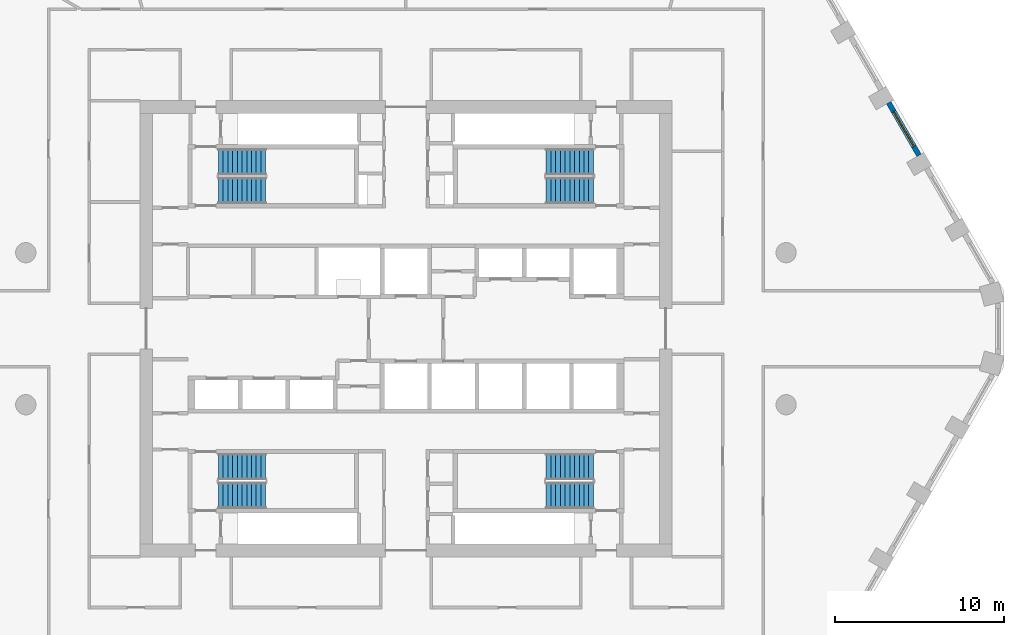
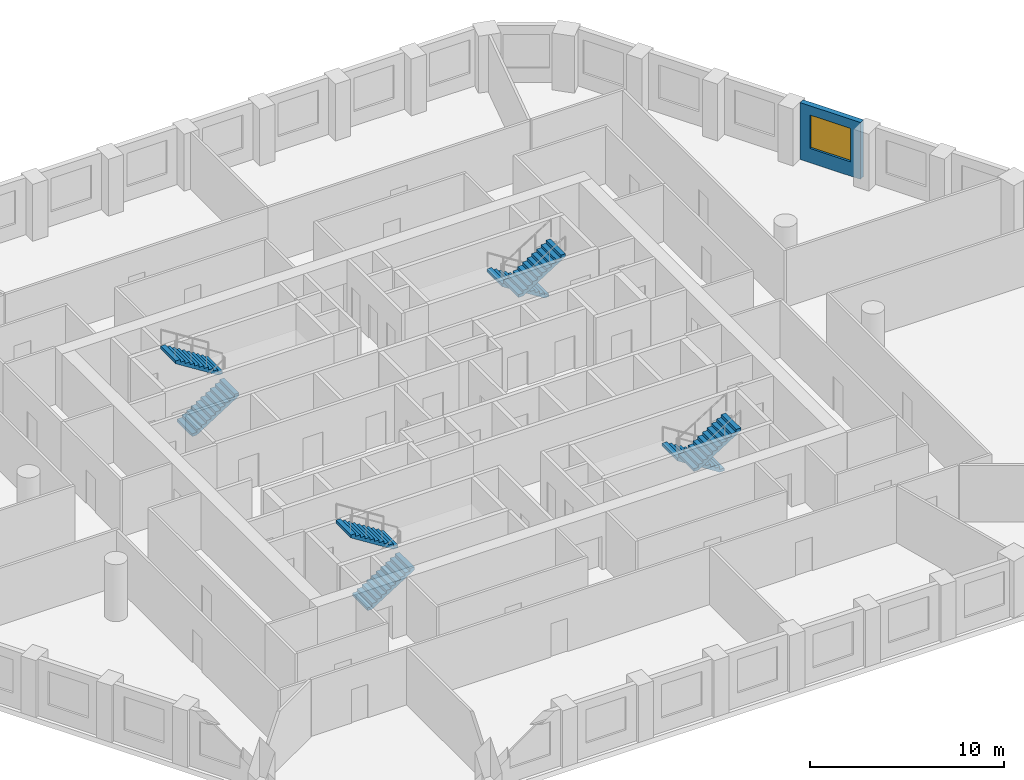
# One storey, part 9 of 10: 8 stair flights, 1 wall, 1 window, 1 opening, 4 elements without a shape of their own.
"""IFC4 building model written with IfcOpenShell, lengths in metres."""

from ifc_helpers import new_model, si_unit, direction, frame, frame_2d, origin, place, context, subcontext, project, spatial, polyline, rectangle, outline, extrude, material, layer, layer_set, type_object, element, fill, aggregate, save


model = new_model("IFC4")

# Units and contexts
model_context = context("Model", 3, precision=1e-05, world=origin(), true_north=direction((0.0, 1.0)))
body_context = subcontext(model_context, "Body", "Model", "MODEL_VIEW")
ifc_project = project(units=[si_unit("LENGTHUNIT", "METRE"), si_unit("AREAUNIT", "SQUARE_METRE"), si_unit("VOLUMEUNIT", "CUBIC_METRE"), si_unit("PLANEANGLEUNIT", "RADIAN"), si_unit("MASSUNIT", "GRAM", prefix="KILO")], contexts=[model_context])

# Site, building, storey
site_placement = place(None, origin())
site = spatial("IfcSite", under=ifc_project, at=site_placement, CompositionType="ELEMENT")
building_placement = place(site_placement, origin())
building = spatial("IfcBuilding", under=site, at=building_placement, Name="Dhurran Vertical Campus", CompositionType="ELEMENT")
storey_placement = place(building_placement, frame((0.0, 0.0, 148.199951171875)))
storey = spatial("IfcBuildingStorey", under=building, at=storey_placement, Name="L36", CompositionType="ELEMENT", Elevation=148.199951171875)

# Wall, opening, window
ifc_material_1 = material(Name="Precast concrete C50/60", Category="concrete")
ifc_layer = layer(ifc_material_1, 0.300048828125)
ifc_layer_set = layer_set([ifc_layer], Name="Precast concrete C50/60")
wall_type = type_object("IfcWallType", Name="Precast spandrel wall 300", PredefinedType="SOLIDWALL", material=ifc_layer_set)
wall_placement = place(storey_placement, frame((30.368896484375, 10.259521484375, 0.0), z_axis=(0.0, 0.0, 1.0), x_axis=(-0.500027802648, 0.866009351323, 0.0)))
wall = element("IfcWall", 1, at=wall_placement, inside=storey, type_object=wall_type, Name="EW1 L36.18", PredefinedType="SOLIDWALL", context=body_context, shape_type="SweptSolid", body=[
    extrude(rectangle(XDim=3.598876953125, YDim=0.300048828125, at=frame_2d((1.79931640625, 0.0))), origin(), (0.0, 0.0, 1.0), 3.574951171875),
])
opening_placement = place(wall_placement, frame((0.599609375, 0.0, 0.89990234375)))
opening = element("IfcOpeningElement", 2, at=opening_placement, cuts=wall, Name="Opening WT1", PredefinedType="OPENING", context=body_context, shape_type="SweptSolid", body=[
    extrude(rectangle(XDim=2.39990234375, YDim=2.10009765625, at=frame_2d((1.199951171875, 1.050048828125))), frame((0.0, 0.159912109375, 0.0), z_axis=(0.0, -1.0, 0.0), x_axis=(1.0, 0.0, 0.0)), (0.0, 0.0, 1.0), 0.320068359375),
])
ifc_material_2 = material(Name="Aluminium frame with solar-control glass", Category="aluminium")
window_type = type_object("IfcWindowType", Name="Punched window 2400 x 2100", PartitioningType="SINGLE_PANEL", PredefinedType="WINDOW", material=ifc_material_2)
window_placement = place(opening_placement, origin())
window = element("IfcWindow", 3, at=window_placement, inside=storey, type_object=window_type, Name="WT1 L36.18", OverallHeight=2.10009765625, OverallWidth=2.39990234375, PartitioningType="SINGLE_PANEL", PredefinedType="WINDOW", context=body_context, shape_type="SweptSolid", body=[
    extrude(rectangle(XDim=2.39990234375, YDim=2.10009765625, at=frame_2d((1.199951171875, 1.050048828125))), frame((0.0, 0.030029296875, 0.0), z_axis=(0.0, -1.0, 0.0), x_axis=(1.0, 0.0, 0.0)), (0.0, 0.0, 1.0), 0.06005859375),
])
fill(opening, window)

# Stair, stair flights
ifc_material_3 = material(Name="Concrete C40/50", Category="concrete")
stair_type = type_object("IfcStairType", Name="co-ST-CORE", PredefinedType="HALF_TURN_STAIR", material=ifc_material_3)
stair_1_placement = place(storey_placement, origin())
stair_1 = element("IfcStair", 4, at=stair_1_placement, inside=storey, type_object=stair_type, Name="L36 Protected exit stair ST1", PredefinedType="HALF_TURN_STAIR")
ifc_material_4 = material(Name="Concrete C40/50", Category="concrete")
stair_flight_type = type_object("IfcStairFlightType", Name="co-SFL-RC", PredefinedType="STRAIGHT", material=ifc_material_4)
stair_flight_1_placement = place(storey_placement, frame((-11.10009765625, 8.175048828125, 0.0), z_axis=(0.0, 0.0, 1.0), x_axis=(1.0, 0.0, 0.0)))
stair_flight_1 = element("IfcStairFlight", 5, at=stair_flight_1_placement, type_object=stair_flight_type, Name="ST1 flight 1", NumberOfRisers=11, NumberOfTreads=10, PredefinedType="STRAIGHT", RiserHeight=0.177272727, TreadLength=0.28, context=body_context, shape_type="SweptSolid", body=[
    extrude(outline(polyline([(0.0, 0.0), (0.0, 0.17724609375), (0.280029296875, 0.17724609375), (0.280029296875, 0.3544921875), (0.56005859375, 0.3544921875), (0.56005859375, 0.53173828125), (0.840087890625, 0.53173828125), (0.840087890625, 0.708984375), (1.1201171875, 0.708984375), (1.1201171875, 0.886474609375), (1.39990234375, 0.886474609375), (1.39990234375, 1.063720703125), (1.679931640625, 1.063720703125), (1.679931640625, 1.240966796875), (1.9599609375, 1.240966796875), (1.9599609375, 1.418212890625), (2.239990234375, 1.418212890625), (2.239990234375, 1.595458984375), (2.52001953125, 1.595458984375), (2.52001953125, 1.772705078125), (2.800048828125, 1.772705078125), (2.800048828125, 1.949951171875), (2.800048828125, 1.59521484375), (0.2802734375, 0.0), (0.0, 0.0)])), frame((0.0, 0.77490234375, 0.0), z_axis=(0.0, -1.0, 0.0), x_axis=(1.0, 0.0, 0.0)), (0.0, 0.0, 1.0), 1.550048828125),
])
stair_flight_2_placement = place(storey_placement, frame((-8.300048828125, 9.875, 1.949951171875), z_axis=(0.0, 0.0, 1.0), x_axis=(-1.0, 0.0, 0.0)))
stair_flight_2 = element("IfcStairFlight", 6, at=stair_flight_2_placement, type_object=stair_flight_type, Name="ST1 flight 2", NumberOfRisers=11, NumberOfTreads=10, PredefinedType="STRAIGHT", RiserHeight=0.177272727, TreadLength=0.28, context=body_context, shape_type="SweptSolid", body=[
    extrude(outline(polyline([(0.0, 0.0), (0.0, 0.17724609375), (0.280029296875, 0.17724609375), (0.280029296875, 0.3544921875), (0.56005859375, 0.3544921875), (0.56005859375, 0.53173828125), (0.840087890625, 0.53173828125), (0.840087890625, 0.708984375), (1.1201171875, 0.708984375), (1.1201171875, 0.886474609375), (1.39990234375, 0.886474609375), (1.39990234375, 1.063720703125), (1.679931640625, 1.063720703125), (1.679931640625, 1.240966796875), (1.9599609375, 1.240966796875), (1.9599609375, 1.418212890625), (2.239990234375, 1.418212890625), (2.239990234375, 1.595458984375), (2.52001953125, 1.595458984375), (2.52001953125, 1.772705078125), (2.800048828125, 1.772705078125), (2.800048828125, 1.949951171875), (2.800048828125, 1.59521484375), (0.2802734375, 0.0), (0.0, 0.0)])), frame((0.0, 0.77490234375, 0.0), z_axis=(0.0, -1.0, 0.0), x_axis=(1.0, 0.0, 0.0)), (0.0, 0.0, 1.0), 1.550048828125),
])
aggregate(stair_1, [stair_flight_1, stair_flight_2])

stair_2_placement = place(storey_placement, origin())
stair_2 = element("IfcStair", 7, at=stair_2_placement, inside=storey, type_object=stair_type, Name="L36 Protected exit stair ST2", PredefinedType="HALF_TURN_STAIR")
stair_flight_3_placement = place(storey_placement, frame((11.10009765625, 9.875, 0.0), z_axis=(0.0, 0.0, 1.0), x_axis=(-1.0, 0.0, 0.0)))
stair_flight_3 = element("IfcStairFlight", 8, at=stair_flight_3_placement, type_object=stair_flight_type, Name="ST2 flight 1", NumberOfRisers=11, NumberOfTreads=10, PredefinedType="STRAIGHT", RiserHeight=0.177272727, TreadLength=0.28, context=body_context, shape_type="SweptSolid", body=[
    extrude(outline(polyline([(0.0, 0.0), (0.0, 0.17724609375), (0.280029296875, 0.17724609375), (0.280029296875, 0.3544921875), (0.56005859375, 0.3544921875), (0.56005859375, 0.53173828125), (0.840087890625, 0.53173828125), (0.840087890625, 0.708984375), (1.1201171875, 0.708984375), (1.1201171875, 0.886474609375), (1.39990234375, 0.886474609375), (1.39990234375, 1.063720703125), (1.679931640625, 1.063720703125), (1.679931640625, 1.240966796875), (1.9599609375, 1.240966796875), (1.9599609375, 1.418212890625), (2.239990234375, 1.418212890625), (2.239990234375, 1.595458984375), (2.52001953125, 1.595458984375), (2.52001953125, 1.772705078125), (2.800048828125, 1.772705078125), (2.800048828125, 1.949951171875), (2.800048828125, 1.59521484375), (0.2802734375, 0.0), (0.0, 0.0)])), frame((0.0, 0.77490234375, 0.0), z_axis=(0.0, -1.0, 0.0), x_axis=(1.0, 0.0, 0.0)), (0.0, 0.0, 1.0), 1.550048828125),
])
stair_flight_4_placement = place(storey_placement, frame((8.300048828125, 8.175048828125, 1.949951171875), z_axis=(0.0, 0.0, 1.0), x_axis=(1.0, 0.0, 0.0)))
stair_flight_4 = element("IfcStairFlight", 9, at=stair_flight_4_placement, type_object=stair_flight_type, Name="ST2 flight 2", NumberOfRisers=11, NumberOfTreads=10, PredefinedType="STRAIGHT", RiserHeight=0.177272727, TreadLength=0.28, context=body_context, shape_type="SweptSolid", body=[
    extrude(outline(polyline([(0.0, 0.0), (0.0, 0.17724609375), (0.280029296875, 0.17724609375), (0.280029296875, 0.3544921875), (0.56005859375, 0.3544921875), (0.56005859375, 0.53173828125), (0.840087890625, 0.53173828125), (0.840087890625, 0.708984375), (1.1201171875, 0.708984375), (1.1201171875, 0.886474609375), (1.39990234375, 0.886474609375), (1.39990234375, 1.063720703125), (1.679931640625, 1.063720703125), (1.679931640625, 1.240966796875), (1.9599609375, 1.240966796875), (1.9599609375, 1.418212890625), (2.239990234375, 1.418212890625), (2.239990234375, 1.595458984375), (2.52001953125, 1.595458984375), (2.52001953125, 1.772705078125), (2.800048828125, 1.772705078125), (2.800048828125, 1.949951171875), (2.800048828125, 1.59521484375), (0.2802734375, 0.0), (0.0, 0.0)])), frame((0.0, 0.77490234375, 0.0), z_axis=(0.0, -1.0, 0.0), x_axis=(1.0, 0.0, 0.0)), (0.0, 0.0, 1.0), 1.550048828125),
])
aggregate(stair_2, [stair_flight_3, stair_flight_4])

stair_3_placement = place(storey_placement, origin())
stair_3 = element("IfcStair", 10, at=stair_3_placement, inside=storey, type_object=stair_type, Name="L36 Protected exit stair ST3", PredefinedType="HALF_TURN_STAIR")
stair_flight_5_placement = place(storey_placement, frame((-11.10009765625, -9.875, 0.0), z_axis=(0.0, 0.0, 1.0), x_axis=(1.0, 0.0, 0.0)))
stair_flight_5 = element("IfcStairFlight", 11, at=stair_flight_5_placement, type_object=stair_flight_type, Name="ST3 flight 1", NumberOfRisers=11, NumberOfTreads=10, PredefinedType="STRAIGHT", RiserHeight=0.177272727, TreadLength=0.28, context=body_context, shape_type="SweptSolid", body=[
    extrude(outline(polyline([(0.0, 0.0), (0.0, 0.17724609375), (0.280029296875, 0.17724609375), (0.280029296875, 0.3544921875), (0.56005859375, 0.3544921875), (0.56005859375, 0.53173828125), (0.840087890625, 0.53173828125), (0.840087890625, 0.708984375), (1.1201171875, 0.708984375), (1.1201171875, 0.886474609375), (1.39990234375, 0.886474609375), (1.39990234375, 1.063720703125), (1.679931640625, 1.063720703125), (1.679931640625, 1.240966796875), (1.9599609375, 1.240966796875), (1.9599609375, 1.418212890625), (2.239990234375, 1.418212890625), (2.239990234375, 1.595458984375), (2.52001953125, 1.595458984375), (2.52001953125, 1.772705078125), (2.800048828125, 1.772705078125), (2.800048828125, 1.949951171875), (2.800048828125, 1.59521484375), (0.2802734375, 0.0), (0.0, 0.0)])), frame((0.0, 0.77490234375, 0.0), z_axis=(0.0, -1.0, 0.0), x_axis=(1.0, 0.0, 0.0)), (0.0, 0.0, 1.0), 1.550048828125),
])
stair_flight_6_placement = place(storey_placement, frame((-8.300048828125, -8.175048828125, 1.949951171875), z_axis=(0.0, 0.0, 1.0), x_axis=(-1.0, 0.0, 0.0)))
stair_flight_6 = element("IfcStairFlight", 12, at=stair_flight_6_placement, type_object=stair_flight_type, Name="ST3 flight 2", NumberOfRisers=11, NumberOfTreads=10, PredefinedType="STRAIGHT", RiserHeight=0.177272727, TreadLength=0.28, context=body_context, shape_type="SweptSolid", body=[
    extrude(outline(polyline([(0.0, 0.0), (0.0, 0.17724609375), (0.280029296875, 0.17724609375), (0.280029296875, 0.3544921875), (0.56005859375, 0.3544921875), (0.56005859375, 0.53173828125), (0.840087890625, 0.53173828125), (0.840087890625, 0.708984375), (1.1201171875, 0.708984375), (1.1201171875, 0.886474609375), (1.39990234375, 0.886474609375), (1.39990234375, 1.063720703125), (1.679931640625, 1.063720703125), (1.679931640625, 1.240966796875), (1.9599609375, 1.240966796875), (1.9599609375, 1.418212890625), (2.239990234375, 1.418212890625), (2.239990234375, 1.595458984375), (2.52001953125, 1.595458984375), (2.52001953125, 1.772705078125), (2.800048828125, 1.772705078125), (2.800048828125, 1.949951171875), (2.800048828125, 1.59521484375), (0.2802734375, 0.0), (0.0, 0.0)])), frame((0.0, 0.77490234375, 0.0), z_axis=(0.0, -1.0, 0.0), x_axis=(1.0, 0.0, 0.0)), (0.0, 0.0, 1.0), 1.550048828125),
])
aggregate(stair_3, [stair_flight_5, stair_flight_6])

stair_4_placement = place(storey_placement, origin())
stair_4 = element("IfcStair", 13, at=stair_4_placement, inside=storey, type_object=stair_type, Name="L36 Protected exit stair ST4", PredefinedType="HALF_TURN_STAIR")
stair_flight_7_placement = place(storey_placement, frame((11.10009765625, -8.175048828125, 0.0), z_axis=(0.0, 0.0, 1.0), x_axis=(-1.0, 0.0, 0.0)))
stair_flight_7 = element("IfcStairFlight", 14, at=stair_flight_7_placement, type_object=stair_flight_type, Name="ST4 flight 1", NumberOfRisers=11, NumberOfTreads=10, PredefinedType="STRAIGHT", RiserHeight=0.177272727, TreadLength=0.28, context=body_context, shape_type="SweptSolid", body=[
    extrude(outline(polyline([(0.0, 0.0), (0.0, 0.17724609375), (0.280029296875, 0.17724609375), (0.280029296875, 0.3544921875), (0.56005859375, 0.3544921875), (0.56005859375, 0.53173828125), (0.840087890625, 0.53173828125), (0.840087890625, 0.708984375), (1.1201171875, 0.708984375), (1.1201171875, 0.886474609375), (1.39990234375, 0.886474609375), (1.39990234375, 1.063720703125), (1.679931640625, 1.063720703125), (1.679931640625, 1.240966796875), (1.9599609375, 1.240966796875), (1.9599609375, 1.418212890625), (2.239990234375, 1.418212890625), (2.239990234375, 1.595458984375), (2.52001953125, 1.595458984375), (2.52001953125, 1.772705078125), (2.800048828125, 1.772705078125), (2.800048828125, 1.949951171875), (2.800048828125, 1.59521484375), (0.2802734375, 0.0), (0.0, 0.0)])), frame((0.0, 0.77490234375, 0.0), z_axis=(0.0, -1.0, 0.0), x_axis=(1.0, 0.0, 0.0)), (0.0, 0.0, 1.0), 1.550048828125),
])
stair_flight_8_placement = place(storey_placement, frame((8.300048828125, -9.875, 1.949951171875), z_axis=(0.0, 0.0, 1.0), x_axis=(1.0, 0.0, 0.0)))
stair_flight_8 = element("IfcStairFlight", 15, at=stair_flight_8_placement, type_object=stair_flight_type, Name="ST4 flight 2", NumberOfRisers=11, NumberOfTreads=10, PredefinedType="STRAIGHT", RiserHeight=0.177272727, TreadLength=0.28, context=body_context, shape_type="SweptSolid", body=[
    extrude(outline(polyline([(0.0, 0.0), (0.0, 0.17724609375), (0.280029296875, 0.17724609375), (0.280029296875, 0.3544921875), (0.56005859375, 0.3544921875), (0.56005859375, 0.53173828125), (0.840087890625, 0.53173828125), (0.840087890625, 0.708984375), (1.1201171875, 0.708984375), (1.1201171875, 0.886474609375), (1.39990234375, 0.886474609375), (1.39990234375, 1.063720703125), (1.679931640625, 1.063720703125), (1.679931640625, 1.240966796875), (1.9599609375, 1.240966796875), (1.9599609375, 1.418212890625), (2.239990234375, 1.418212890625), (2.239990234375, 1.595458984375), (2.52001953125, 1.595458984375), (2.52001953125, 1.772705078125), (2.800048828125, 1.772705078125), (2.800048828125, 1.949951171875), (2.800048828125, 1.59521484375), (0.2802734375, 0.0), (0.0, 0.0)])), frame((0.0, 0.77490234375, 0.0), z_axis=(0.0, -1.0, 0.0), x_axis=(1.0, 0.0, 0.0)), (0.0, 0.0, 1.0), 1.550048828125),
])
aggregate(stair_4, [stair_flight_7, stair_flight_8])

save(model, "model.ifc")
